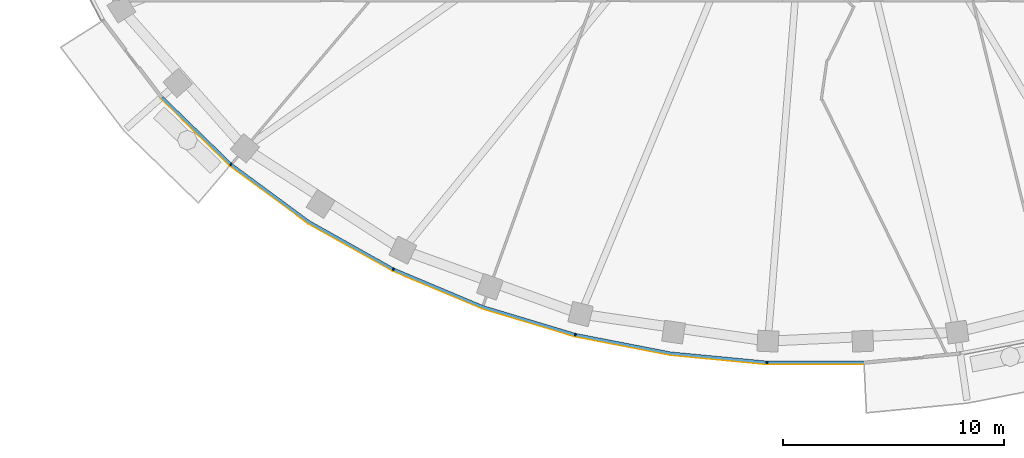
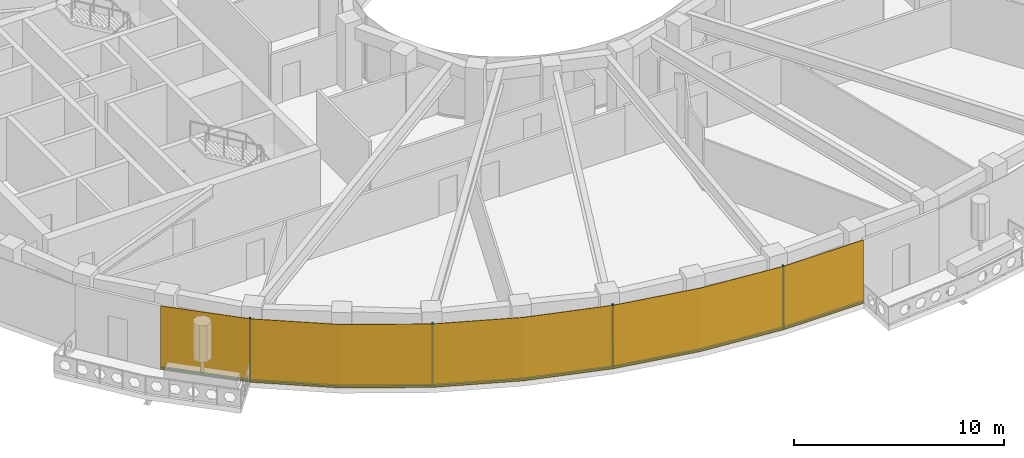
# One storey, part 8 of 16: 9 members, 1 curtain wall.
"""IFC4 building model written with IfcOpenShell, lengths in metres."""

from ifc_helpers import new_model, si_unit, direction, frame, origin, origin_2d, place, context, subcontext, project, spatial, polyline, rectangle, outline, extrude, material, layer, layer_set, material_profile, profile_set, type_object, element, aggregate, save


model = new_model("IFC4")

# Units and contexts
model_context = context("Model", 3, precision=1e-05, world=origin(), true_north=direction((0.0, 1.0)))
body_context = subcontext(model_context, "Body", "Model", "MODEL_VIEW")
ifc_project = project(units=[si_unit("LENGTHUNIT", "METRE"), si_unit("AREAUNIT", "SQUARE_METRE"), si_unit("VOLUMEUNIT", "CUBIC_METRE"), si_unit("PLANEANGLEUNIT", "RADIAN"), si_unit("MASSUNIT", "GRAM", prefix="KILO")], contexts=[model_context])

# Member
ifc_material_1 = material(Name="Aluminium 6063-T6 black anodised", Category="aluminium")
ifc_material_profile = material_profile(ifc_material_1, rectangle(XDim=0.1201171875, YDim=0.06005859375, at=origin_2d()), Name="120x60")
ifc_profile_set = profile_set([ifc_material_profile], Name="Aluminium 6063-T6 black anodised")
member_type_1 = type_object("IfcMemberType", Name="ENV-MULLION-A-120", PredefinedType="MULLION", material=ifc_profile_set)
site_placement = place(None, origin())
building_placement = place(site_placement, origin())
storey_placement = place(building_placement, frame((0.0, 0.0, 299.0)))
member_1_placement = place(storey_placement, frame((-26.403564453125, -18.9130859375, 0.0), z_axis=(0.0, 0.0, 1.0), x_axis=(0.646451313783, 0.762955240435, 0.0)))
member_1 = element("IfcMember", 1, at=member_1_placement, type_object=member_type_1, Name="Mullion A radial 29", PredefinedType="MULLION", context=body_context, shape_type="SweptSolid", body=[
    extrude(rectangle(XDim=0.1201171875, YDim=0.06005859375, at=origin_2d()), origin(), (0.0, 0.0, 1.0), 3.699951171875),
])

member_2_placement = place(storey_placement, frame((-19.06787109375, -23.6474609375, 0.0), z_axis=(0.0, 0.0, 1.0), x_axis=(0.439237769837, 0.898370848563, 0.0)))
member_2 = element("IfcMember", 2, at=member_2_placement, type_object=member_type_1, Name="Mullion A radial 31", PredefinedType="MULLION", context=body_context, shape_type="SweptSolid", body=[
    extrude(rectangle(XDim=0.1201171875, YDim=0.06005859375, at=origin_2d()), origin(), (0.0, 0.0, 1.0), 3.699951171875),
])

member_3_placement = place(storey_placement, frame((-10.84326171875, -26.60498046875, 0.0), z_axis=(0.0, 0.0, 1.0), x_axis=(0.239799081534, 0.970822538106, 0.0)))
member_3 = element("IfcMember", 3, at=member_3_placement, type_object=member_type_1, Name="Mullion A radial 33", PredefinedType="MULLION", context=body_context, shape_type="SweptSolid", body=[
    extrude(rectangle(XDim=0.1201171875, YDim=0.06005859375, at=origin_2d()), origin(), (0.0, 0.0, 1.0), 3.699951171875),
])

member_4_placement = place(storey_placement, frame((-2.188720703125, -27.856201171875, 0.0), z_axis=(0.0, 0.0, 1.0), x_axis=(0.047557873581, 0.998868484166, 0.0)))
member_4 = element("IfcMember", 4, at=member_4_placement, type_object=member_type_1, Name="Mullion A radial 35", PredefinedType="MULLION", context=body_context, shape_type="SweptSolid", body=[
    extrude(rectangle(XDim=0.1201171875, YDim=0.06005859375, at=origin_2d()), origin(), (0.0, 0.0, 1.0), 3.699951171875),
])

ifc_material_2 = material(Name="Aluminium 6063-T6 black anodised", Category="aluminium")
member_type_2 = type_object("IfcMemberType", Name="ENV-TRANSOM-A", PredefinedType="USERDEFINED", material=ifc_material_2)
member_5_placement = place(storey_placement, origin())
member_5 = element("IfcMember", 5, at=member_5_placement, type_object=member_type_2, Name="Transom A radial 28-29", ObjectType="TRANSOM", PredefinedType="USERDEFINED", context=body_context, shape_type="SweptSolid", body=[
    extrude(outline(polyline([(-29.569091796875, -15.9208984375), (-26.46240234375, -18.939208984375), (-26.384765625, -18.847412109375), (-29.47900390625, -15.841064453125), (-29.569091796875, -15.9208984375)])), origin(), (0.0, 0.0, 1.0), 0.10009765625),
])

member_6_placement = place(storey_placement, origin())
member_6 = element("IfcMember", 6, at=member_6_placement, type_object=member_type_2, Name="Transom A radial 29-31", ObjectType="TRANSOM", PredefinedType="USERDEFINED", context=body_context, shape_type="SweptSolid", body=[
    extrude(outline(polyline([(-26.419921875, -18.975341796875), (-22.9150390625, -21.556884765625), (-19.11865234375, -23.687744140625), (-19.06591796875, -23.57958984375), (-22.85009765625, -21.455810546875), (-26.342041015625, -18.883544921875), (-26.419921875, -18.975341796875)])), origin(), (0.0, 0.0, 1.0), 0.10009765625),
])

member_7_placement = place(storey_placement, origin())
member_7 = element("IfcMember", 7, at=member_7_placement, type_object=member_type_2, Name="Transom A radial 31-33", ObjectType="TRANSOM", PredefinedType="USERDEFINED", context=body_context, shape_type="SweptSolid", body=[
    extrude(outline(polyline([(-19.068359375, -23.71240234375), (-15.054443359375, -25.400146484375), (-10.884521484375, -26.655029296875), (-10.855712890625, -26.53857421875), (-15.013916015625, -25.287109375), (-19.015380859375, -23.604248046875), (-19.068359375, -23.71240234375)])), origin(), (0.0, 0.0, 1.0), 0.10009765625),
])

member_8_placement = place(storey_placement, origin())
member_8 = element("IfcMember", 8, at=member_8_placement, type_object=member_type_2, Name="Transom A radial 33-35", ObjectType="TRANSOM", PredefinedType="USERDEFINED", context=body_context, shape_type="SweptSolid", body=[
    extrude(outline(polyline([(-10.830078125, -26.66845703125), (-6.55517578125, -27.49951171875), (-2.219482421875, -27.913330078125), (-2.2138671875, -27.793212890625), (-6.537841796875, -27.380615234375), (-10.80126953125, -26.552001953125), (-10.830078125, -26.66845703125)])), origin(), (0.0, 0.0, 1.0), 0.10009765625),
])

member_9_placement = place(storey_placement, origin())
member_9 = element("IfcMember", 9, at=member_9_placement, type_object=member_type_2, Name="Transom A radial 35-36", ObjectType="TRANSOM", PredefinedType="USERDEFINED", context=body_context, shape_type="SweptSolid", body=[
    extrude(outline(polyline([(-2.163818359375, -27.916015625), (2.171630859375, -27.916015625), (2.166015625, -27.7958984375), (-2.157958984375, -27.7958984375), (-2.163818359375, -27.916015625)])), origin(), (0.0, 0.0, 1.0), 0.10009765625),
])

# Site, building, storey
site = spatial("IfcSite", under=ifc_project, at=site_placement, CompositionType="ELEMENT")
building = spatial("IfcBuilding", under=site, at=building_placement, Name="Noorbagh Ring Tower", CompositionType="ELEMENT")
storey = spatial("IfcBuildingStorey", under=building, at=storey_placement, Name="L64", CompositionType="ELEMENT", Elevation=299.0)

# Curtain wall
ifc_material_3 = material(Name="Glass dark tinted laminated", Category="glass")
ifc_layer = layer(ifc_material_3, 0.031982421875)
ifc_layer_set = layer_set([ifc_layer], Name="Glass dark tinted laminated")
curtain_wall_type = type_object("IfcCurtainWallType", Name="ENV-CW-A", PredefinedType="NOTDEFINED", material=ifc_layer_set)
curtain_wall_placement = place(storey_placement, origin())
curtain_wall = element("IfcCurtainWall", 10, at=curtain_wall_placement, inside=storey, type_object=curtain_wall_type, Name="Curtain wall A R28", PredefinedType="NOTDEFINED", context=body_context, shape_type="SweptSolid", body=[
    extrude(outline(polyline([(-29.59326171875, -15.942138671875), (-26.463134765625, -18.9833984375), (-22.9326171875, -21.583740234375), (-19.108154296875, -23.730224609375), (-15.065185546875, -25.430419921875), (-10.865234375, -26.6943359375), (-6.559814453125, -27.53125), (-2.193115234375, -27.947998046875), (2.173095703125, -27.947998046875), (2.171630859375, -27.916015625), (-2.191650390625, -27.916015625), (-6.55517578125, -27.49951171875), (-10.857666015625, -26.6630859375), (-15.054443359375, -25.400146484375), (-19.093994140625, -23.701416015625), (-22.9150390625, -21.556884765625), (-26.4423828125, -18.958740234375), (-29.569091796875, -15.9208984375), (-29.59326171875, -15.942138671875)])), origin(), (0.0, 0.0, 1.0), 3.699951171875),
])

aggregate(curtain_wall, [member_1, member_2, member_3, member_4, member_5, member_6, member_7, member_8, member_9])

save(model, "model.ifc")
